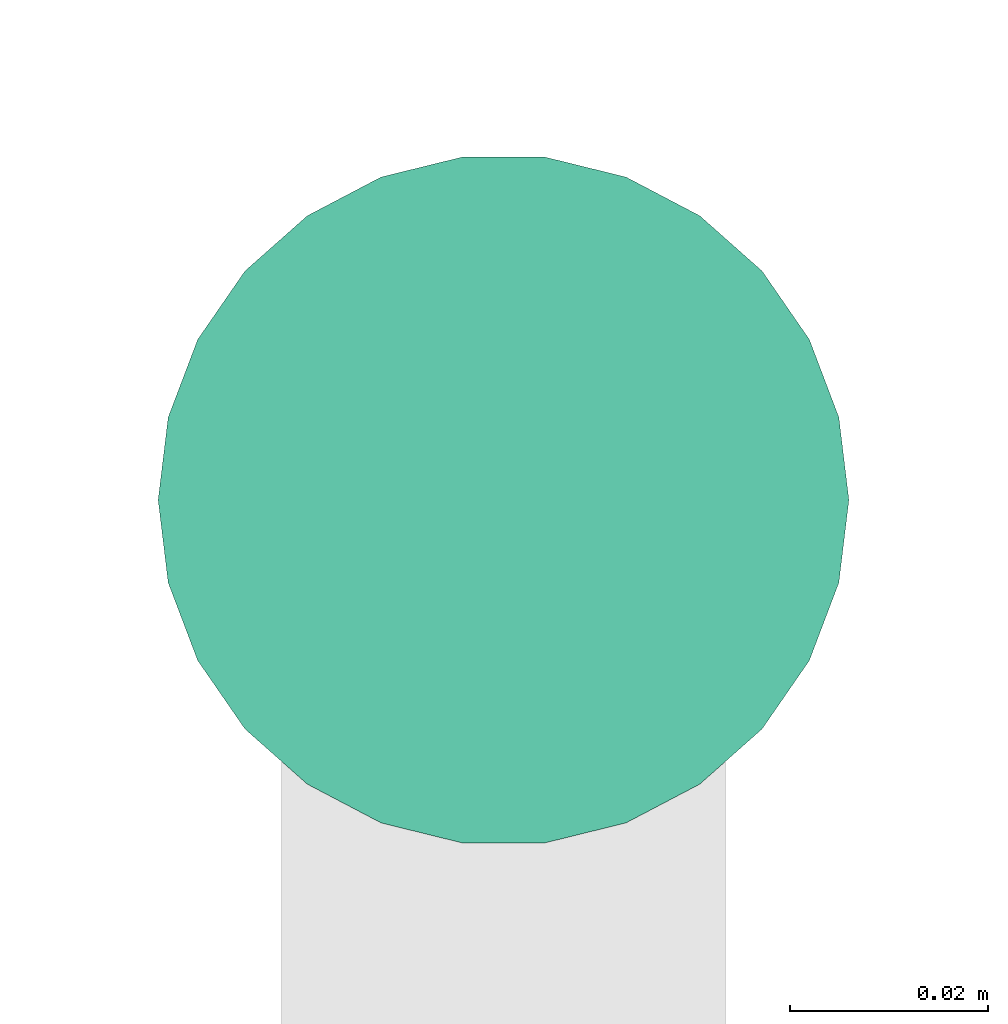
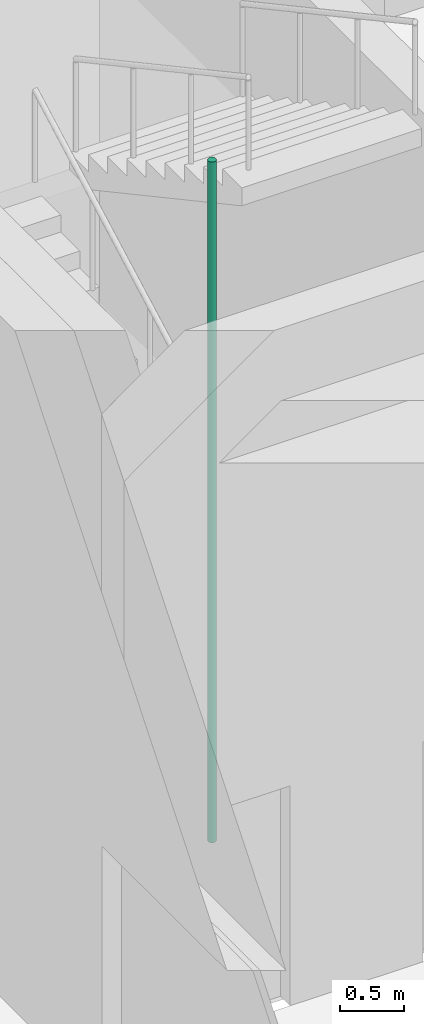
# One storey, part 35 of 45: 1 pipe segment.
"""IFC4 building model written with IfcOpenShell, lengths in metres."""

from ifc_helpers import new_model, si_unit, direction, frame, origin, origin_2d, place, context, subcontext, project, spatial, circle, extrude, element, save


model = new_model("IFC4")

# Units and contexts
model_context = context("Model", 3, precision=1e-05, world=origin(), true_north=direction((0.0, 1.0)))
body_context = subcontext(model_context, "Body", "Model", "MODEL_VIEW")
ifc_project = project(units=[si_unit("LENGTHUNIT", "METRE"), si_unit("AREAUNIT", "SQUARE_METRE"), si_unit("VOLUMEUNIT", "CUBIC_METRE"), si_unit("PLANEANGLEUNIT", "RADIAN"), si_unit("MASSUNIT", "GRAM", prefix="KILO")], contexts=[model_context])

# Site, building, storey
site_placement = place(None, origin())
site = spatial("IfcSite", under=ifc_project, at=site_placement, CompositionType="ELEMENT")
building_placement = place(site_placement, origin())
building = spatial("IfcBuilding", under=site, at=building_placement, Name="Nzadi Deep Aquarium and Research Tower", CompositionType="ELEMENT")
storey_placement = place(building_placement, origin())
storey = spatial("IfcBuildingStorey", under=building, at=storey_placement, Name="G", CompositionType="ELEMENT", Elevation=0.0)

# Pipe segment
pipe_segment_placement = place(storey_placement, frame((2.300048828125, 68.9599609375, 0.0), z_axis=(0.0, 0.0, 1.0), x_axis=(1.0, 0.0, 0.0)))
element("IfcPipeSegment", 1, at=pipe_segment_placement, inside=storey, Name="Dry riser ST-Z2-W G", PredefinedType="RIGIDSEGMENT", context=body_context, shape_type="SweptSolid", body=[
    extrude(circle(Radius=0.034912109375, at=origin_2d()), origin(), (0.0, 0.0, 1.0), 6.5),
])

save(model, "model.ifc")
